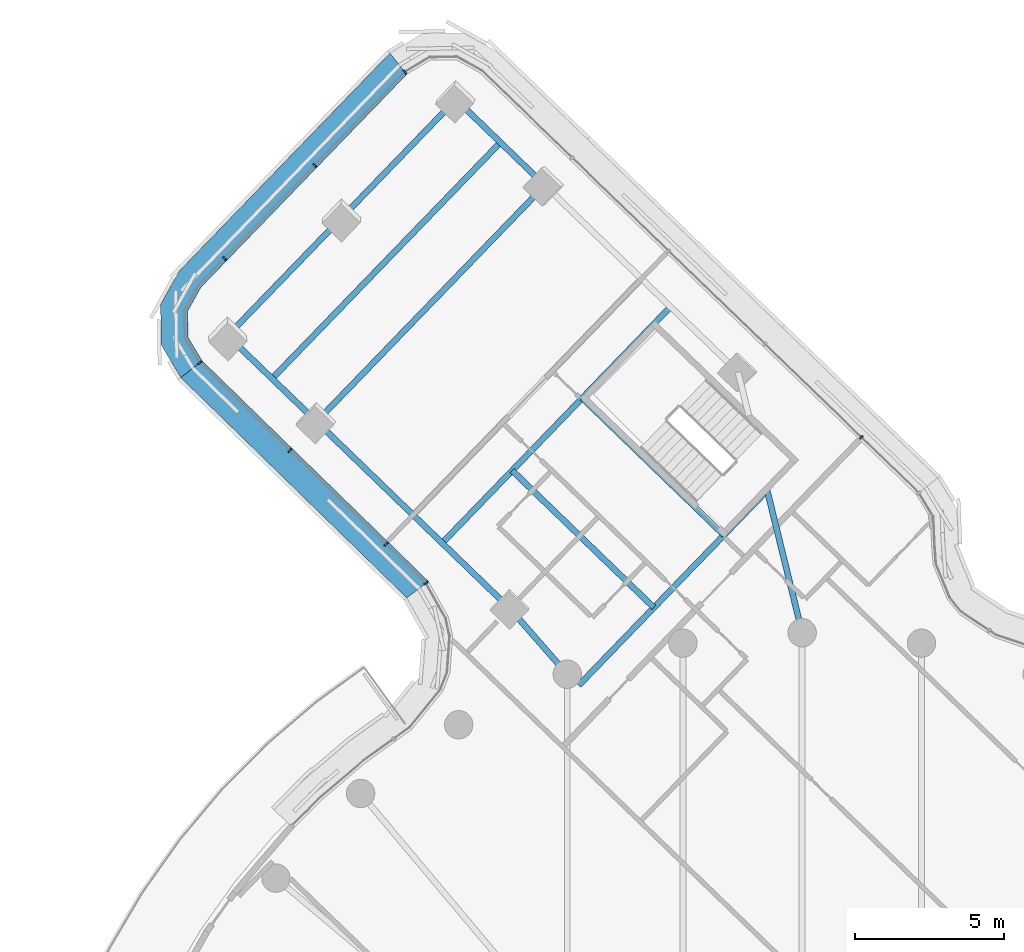
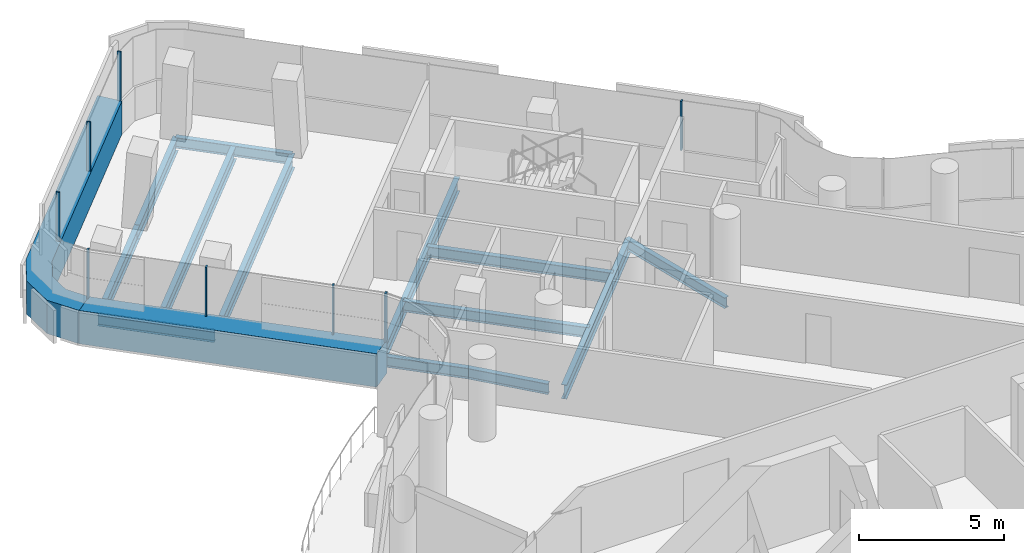
# One storey, part 15 of 31: 13 beams, 10 members, 4 elements without a shape of their own.
"""IFC4 building model written with IfcOpenShell, lengths in metres."""

from ifc_helpers import new_model, si_unit, direction, frame, origin, origin_2d, place, context, subcontext, project, spatial, polyline, rectangle, i_section, outline, extrude, material, layer, layer_set, material_profile, profile_set, type_object, element, aggregate, save


model = new_model("IFC4")

# Units and contexts
model_context = context("Model", 3, precision=1e-05, world=origin(), true_north=direction((0.0, 1.0)))
body_context = subcontext(model_context, "Body", "Model", "MODEL_VIEW")
ifc_project = project(units=[si_unit("LENGTHUNIT", "METRE"), si_unit("AREAUNIT", "SQUARE_METRE"), si_unit("VOLUMEUNIT", "CUBIC_METRE"), si_unit("PLANEANGLEUNIT", "RADIAN"), si_unit("MASSUNIT", "GRAM", prefix="KILO")], contexts=[model_context])

# Site, building, storey
site_placement = place(None, origin())
site = spatial("IfcSite", under=ifc_project, at=site_placement, CompositionType="ELEMENT")
building_placement = place(site_placement, origin())
building = spatial("IfcBuilding", under=site, at=building_placement, Name="Tamarind Cross Interchange Tower", CompositionType="ELEMENT")
storey_placement = place(building_placement, frame((0.0, 0.0, 200.5)))
storey = spatial("IfcBuildingStorey", under=building, at=storey_placement, Name="L50", CompositionType="ELEMENT", Elevation=200.5)

# Beams
ifc_material_1 = material(Name="Steel Q355B", Category="steel")
ifc_material_profile_1 = material_profile(ifc_material_1, i_section(OverallWidth=0.198974609375, OverallDepth=0.446044921875, WebThickness=0.008056640625, FlangeThickness=0.011962890625, FilletRadius=0.012939453125, at=origin_2d()), Name="HN 446x199x8x12")
ifc_profile_set_1 = profile_set([ifc_material_profile_1], Name="Steel Q355B")
beam_type_1 = type_object("IfcBeamType", Name="Composite beam HN 446x199x8x12 Q355B", PredefinedType="BEAM", material=ifc_profile_set_1)
for number, where, z_axis, x_axis, name in (
    (1, (-11.59130859375, 40.8544921875, -0.363037109375), (0.718981497127, -0.695029212903, 0.0), (0.695029212903, 0.718981497127, 0.0), "Beam N-edgeem5"),
    (2, (-19.236328125, 32.945556640625, -0.363037109375), (0.718952996484, -0.695058694533, 0.0), (0.695058694533, 0.718952996484, 0.0), "Beam N-edgeep2"),
):
    element("IfcBeam", number, at=place(storey_placement, frame(where, z_axis=z_axis, x_axis=x_axis)), inside=storey, type_object=beam_type_1, Name=name, PredefinedType="BEAM", context=body_context, shape_type="SweptSolid", body=[
        extrude(i_section(OverallWidth=0.198974609375, OverallDepth=0.446044921875, WebThickness=0.008056640625, FlangeThickness=0.011962890625, FilletRadius=0.012939453125, at=origin_2d()), origin(), (0.0, 0.0, 1.0), 4.13818359375),
    ])
beam_1_placement = place(storey_placement, frame((-16.26123046875, 30.0693359375, -0.363037109375), z_axis=(0.718995153813, -0.695015085299, 0.0), x_axis=(0.695015085299, 0.718995153813, 0.0)))
element("IfcBeam", 3, at=beam_1_placement, inside=storey, type_object=beam_type_1, Name="Beam N-edgeep3", PredefinedType="BEAM", context=body_context, shape_type="SweptSolid", body=[
    extrude(i_section(OverallWidth=0.198974609375, OverallDepth=0.446044921875, WebThickness=0.008056640625, FlangeThickness=0.011962890625, FilletRadius=0.012939453125, at=origin_2d()), origin(), (0.0, 0.0, 1.0), 9.0),
])
beam_2_placement = place(storey_placement, frame((-1.18603515625, 27.8232421875, -0.363037109375), z_axis=(0.238786601564, -0.971072066797, 0.0), x_axis=(0.971072066797, 0.238786601564, 0.0)))
element("IfcBeam", 4, at=beam_2_placement, inside=storey, type_object=beam_type_1, Name="Beam N-linkemt1", PredefinedType="BEAM", context=body_context, shape_type="SweptSolid", body=[
    extrude(i_section(OverallWidth=0.198974609375, OverallDepth=0.446044921875, WebThickness=0.008056640625, FlangeThickness=0.011962890625, FilletRadius=0.012939453125, at=origin_2d()), origin(), (0.0, 0.0, 1.0), 4.967041015625),
])
beam_3_placement = place(storey_placement, frame((-9.790283203125, 23.814208984375, -0.363037109375), z_axis=(0.658078810286, -0.752949055018, 0.0), x_axis=(0.752949055018, 0.658078810286, 0.0)))
element("IfcBeam", 5, at=beam_3_placement, inside=storey, type_object=beam_type_1, Name="Beam N-linkep", PredefinedType="BEAM", context=body_context, shape_type="SweptSolid", body=[
    extrude(i_section(OverallWidth=0.198974609375, OverallDepth=0.446044921875, WebThickness=0.008056640625, FlangeThickness=0.011962890625, FilletRadius=0.012939453125, at=origin_2d()), origin(), (0.0, 0.0, 1.0), 2.92333984375),
])
for number, where, z_axis, x_axis, name in (
    (6, (-2.618408203125, 26.26953125, -0.363037109375), (-0.718990224524, 0.695020184627, 0.0), (-0.695020184627, -0.718990224524, 0.0), "Beam N-tr1"),
    (7, (-4.964111328125, 23.843017578125, -0.363037109375), (-0.718990224524, 0.695020184627, 0.0), (-0.695020184627, -0.718990224524, 0.0), "Beam N-stripp"),
):
    element("IfcBeam", number, at=place(storey_placement, frame(where, z_axis=z_axis, x_axis=x_axis)), inside=storey, type_object=beam_type_1, Name=name, PredefinedType="BEAM", context=body_context, shape_type="SweptSolid", body=[
        extrude(i_section(OverallWidth=0.198974609375, OverallDepth=0.446044921875, WebThickness=0.008056640625, FlangeThickness=0.011962890625, FilletRadius=0.012939453125, at=origin_2d()), origin(), (0.0, 0.0, 1.0), 6.60009765625),
    ])
ifc_material_profile_2 = material_profile(ifc_material_1, i_section(OverallWidth=0.198974609375, OverallDepth=0.595947265625, WebThickness=0.010009765625, FlangeThickness=0.014892578125, FilletRadius=0.012939453125, at=origin_2d()), Name="HN 596x199x10x15")
ifc_profile_set_2 = profile_set([ifc_material_profile_2], Name="Steel Q355B")
beam_type_2 = type_object("IfcBeamType", Name="Composite beam HN 596x199x10x15 Q355B", PredefinedType="BEAM", material=ifc_profile_set_2)
beam_4_placement = place(storey_placement, frame((-11.59130859375, 40.8544921875, -0.43798828125), z_axis=(-0.694997620062, -0.719012036135, 0.0), x_axis=(0.719012036135, -0.694997620062, 0.0)))
element("IfcBeam", 8, at=beam_4_placement, inside=storey, type_object=beam_type_2, Name="Beam N-tip0", PredefinedType="BEAM", context=body_context, shape_type="SweptSolid", body=[
    extrude(i_section(OverallWidth=0.198974609375, OverallDepth=0.595947265625, WebThickness=0.010009765625, FlangeThickness=0.014892578125, FilletRadius=0.012939453125, at=origin_2d()), origin(), (0.0, 0.0, 1.0), 5.5),
])
beam_5_placement = place(storey_placement, frame((-15.413818359375, 36.89990234375, -0.43798828125), z_axis=(-0.69501980211, -0.718990594288, 0.0), x_axis=(0.718990594288, -0.69501980211, 0.0)))
element("IfcBeam", 9, at=beam_5_placement, inside=storey, type_object=beam_type_2, Name="Beam N-tip1", PredefinedType="BEAM", context=body_context, shape_type="SweptSolid", body=[
    extrude(i_section(OverallWidth=0.198974609375, OverallDepth=0.595947265625, WebThickness=0.010009765625, FlangeThickness=0.014892578125, FilletRadius=0.012939453125, at=origin_2d()), origin(), (0.0, 0.0, 1.0), 5.499755859375),
])
beam_6_placement = place(storey_placement, frame((-1.171875, 27.765869140625, -0.43798828125), z_axis=(-0.695022560325, -0.71898792802, 0.0), x_axis=(0.71898792802, -0.695022560325, 0.0)))
element("IfcBeam", 10, at=beam_6_placement, inside=storey, type_object=beam_type_2, Name="Beam N-x268", PredefinedType="BEAM", context=body_context, shape_type="SweptSolid", body=[
    extrude(i_section(OverallWidth=0.198974609375, OverallDepth=0.595947265625, WebThickness=0.010009765625, FlangeThickness=0.014892578125, FilletRadius=0.012939453125, at=origin_2d()), origin(), (0.0, 0.0, 1.0), 9.076904296875),
])
for number, where, z_axis, x_axis, name in (
    (11, (-4.409912109375, 33.912353515625, -0.43798828125), (-0.695008710992, -0.719001315469, 0.0), (0.719001315469, -0.695008710992, 0.0), "Beam N-x334"),
    (12, (-8.615966796875, 37.978271484375, -0.43798828125), (-0.695020184627, -0.718990224524, 0.0), (0.718990224524, -0.695020184627, 0.0), "Beam N-x393"),
    (13, (-10.103515625, 39.416259765625, -0.43798828125), (-0.695020184627, -0.718990224524, 0.0), (0.718990224524, -0.695020184627, 0.0), "Beam N-x414"),
):
    element("IfcBeam", number, at=place(storey_placement, frame(where, z_axis=z_axis, x_axis=x_axis)), inside=storey, type_object=beam_type_2, Name=name, PredefinedType="BEAM", context=body_context, shape_type="SweptSolid", body=[
        extrude(i_section(OverallWidth=0.198974609375, OverallDepth=0.595947265625, WebThickness=0.010009765625, FlangeThickness=0.014892578125, FilletRadius=0.012939453125, at=origin_2d()), origin(), (0.0, 0.0, 1.0), 11.0),
    ])

# Curtain wall, member
ifc_material_2 = material(Name="Aluminium 6063-T6", Category="aluminium")
ifc_layer = layer(ifc_material_2, 0.139892578125)
ifc_layer_set = layer_set([ifc_layer], Name="Aluminium 6063-T6")
curtain_wall_type = type_object("IfcCurtainWallType", Name="Hotel curtain wall, 4.5 m bays", PredefinedType="NOTDEFINED", material=ifc_layer_set)
curtain_wall_1_placement = place(storey_placement, origin())
curtain_wall_1 = element("IfcCurtainWall", 14, at=curtain_wall_1_placement, inside=storey, type_object=curtain_wall_type, Name="CWS-L50-08", PredefinedType="NOTDEFINED")
ifc_material_3 = material(Name="Aluminium and insulated spandrel panel", Category="aluminium")
member_type_1 = type_object("IfcMemberType", Name="Floor-edge blade transom", PredefinedType="USERDEFINED", material=ifc_material_3)
member_1_placement = place(storey_placement, origin())
member_1 = element("IfcMember", 15, at=member_1_placement, type_object=member_type_1, Name="CWT-L50-08", ObjectType="TRANSOM", PredefinedType="USERDEFINED", context=body_context, shape_type="SweptSolid", body=[
    extrude(outline(polyline([(-13.23876953125, 41.69677734375), (-20.134033203125, 34.5634765625), (-20.578369140625, 33.76318359375), (-20.5634765625, 32.888671875), (-20.092041015625, 32.103271484375), (-20.8037109375, 31.540283203125), (-21.459228515625, 32.63232421875), (-21.482177734375, 33.989013671875), (-20.863525390625, 35.10400390625), (-13.803466796875, 42.407470703125), (-13.23876953125, 41.69677734375)])), origin(), (0.0, 0.0, 1.0), 1.39990234375),
])

curtain_wall_2_placement = place(storey_placement, origin())
curtain_wall_2 = element("IfcCurtainWall", 16, at=curtain_wall_2_placement, inside=storey, type_object=curtain_wall_type, Name="CWS-L50-09", PredefinedType="NOTDEFINED")
member_2_placement = place(storey_placement, origin())
member_2 = element("IfcMember", 17, at=member_2_placement, type_object=member_type_1, Name="CWT-L50-09", ObjectType="TRANSOM", PredefinedType="USERDEFINED", context=body_context, shape_type="SweptSolid", body=[
    extrude(outline(polyline([(-20.092041015625, 32.103271484375), (-12.51318359375, 24.718505859375), (-13.23486328125, 24.1650390625), (-20.8037109375, 31.540283203125), (-20.092041015625, 32.103271484375)])), origin(), (0.0, 0.0, 1.0), 1.39990234375),
])

curtain_wall_3_placement = place(storey_placement, origin())
curtain_wall_3 = element("IfcCurtainWall", 18, at=curtain_wall_3_placement, inside=storey, type_object=curtain_wall_type, Name="CWS-L50-07", PredefinedType="NOTDEFINED")
ifc_material_profile_3 = material_profile(ifc_material_2, rectangle(XDim=0.06005859375, YDim=0.139892578125, at=origin_2d()), Name="Mullion CW2")
ifc_profile_set_3 = profile_set([ifc_material_profile_3], Name="Aluminium 6063-T6")
member_type_2 = type_object("IfcMemberType", Name="Mullion CW2", PredefinedType="MULLION", material=ifc_profile_set_3)
member_3_placement = place(storey_placement, frame((1.98046875, 29.543212890625, 1.39990234375), z_axis=(0.0, 0.0, 1.0), x_axis=(-0.718990536097, 0.695019862308, 0.0)))
member_3 = element("IfcMember", 19, at=member_3_placement, type_object=member_type_2, Name="CWM-L50-07-01", PredefinedType="MULLION", context=body_context, shape_type="SweptSolid", body=[
    extrude(rectangle(XDim=0.06005859375, YDim=0.139892578125, at=origin_2d()), origin(), (0.0, 0.0, 1.0), 2.06005859375),
])
aggregate(curtain_wall_3, [member_3])

# Member
member_4_placement = place(storey_placement, frame((-13.301513671875, 41.775634765625, 1.39990234375), z_axis=(0.0, 0.0, 1.0), x_axis=(-0.782920967957, -0.622121176246, 0.0)))
member_4 = element("IfcMember", 20, at=member_4_placement, type_object=member_type_2, Name="CWM-L50-08-00", PredefinedType="MULLION", context=body_context, shape_type="SweptSolid", body=[
    extrude(rectangle(XDim=0.06005859375, YDim=0.139892578125, at=origin_2d()), origin(), (0.0, 0.0, 1.0), 2.06005859375),
])

member_5_placement = place(storey_placement, frame((-16.32177734375, 38.651123046875, 1.39990234375), z_axis=(0.0, 0.0, 1.0), x_axis=(-0.695019862308, -0.718990536097, 0.0)))
member_5 = element("IfcMember", 21, at=member_5_placement, type_object=member_type_2, Name="CWM-L50-08-01", PredefinedType="MULLION", context=body_context, shape_type="SweptSolid", body=[
    extrude(rectangle(XDim=0.06005859375, YDim=0.139892578125, at=origin_2d()), origin(), (0.0, 0.0, 1.0), 2.06005859375),
])

member_6_placement = place(storey_placement, frame((-19.342041015625, 35.52685546875, 1.39990234375), z_axis=(0.0, 0.0, 1.0), x_axis=(-0.695019862308, -0.718990536097, 0.0)))
member_6 = element("IfcMember", 22, at=member_6_placement, type_object=member_type_2, Name="CWM-L50-08-02", PredefinedType="MULLION", context=body_context, shape_type="SweptSolid", body=[
    extrude(rectangle(XDim=0.06005859375, YDim=0.139892578125, at=origin_2d()), origin(), (0.0, 0.0, 1.0), 2.06005859375),
])

aggregate(curtain_wall_1, [member_4, member_5, member_6, member_1])

member_7_placement = place(storey_placement, frame((-20.171142578125, 32.040771484375, 1.39990234375), z_axis=(0.0, 0.0, 1.0), x_axis=(0.620559770966, -0.784159148807, 0.0)))
member_7 = element("IfcMember", 23, at=member_7_placement, type_object=member_type_2, Name="CWM-L50-09-00", PredefinedType="MULLION", context=body_context, shape_type="SweptSolid", body=[
    extrude(rectangle(XDim=0.06005859375, YDim=0.139892578125, at=origin_2d()), origin(), (0.0, 0.0, 1.0), 2.06005859375),
])

member_8_placement = place(storey_placement, frame((-17.15625, 29.103271484375, 1.39990234375), z_axis=(0.0, 0.0, 1.0), x_axis=(0.716214822017, -0.6978798813, 0.0)))
member_8 = element("IfcMember", 24, at=member_8_placement, type_object=member_type_2, Name="CWM-L50-09-01", PredefinedType="MULLION", context=body_context, shape_type="SweptSolid", body=[
    extrude(rectangle(XDim=0.06005859375, YDim=0.139892578125, at=origin_2d()), origin(), (0.0, 0.0, 1.0), 2.06005859375),
])

member_9_placement = place(storey_placement, frame((-13.932373046875, 25.9619140625, 1.39990234375), z_axis=(0.0, 0.0, 1.0), x_axis=(0.716214822017, -0.6978798813, 0.0)))
member_9 = element("IfcMember", 25, at=member_9_placement, type_object=member_type_2, Name="CWM-L50-09-02", PredefinedType="MULLION", context=body_context, shape_type="SweptSolid", body=[
    extrude(rectangle(XDim=0.06005859375, YDim=0.139892578125, at=origin_2d()), origin(), (0.0, 0.0, 1.0), 2.06005859375),
])

aggregate(curtain_wall_2, [member_7, member_8, member_9, member_2])

# Curtain wall, member
curtain_wall_4_placement = place(storey_placement, origin())
curtain_wall_4 = element("IfcCurtainWall", 26, at=curtain_wall_4_placement, inside=storey, type_object=curtain_wall_type, Name="CWS-L50-10", PredefinedType="NOTDEFINED")
member_10_placement = place(storey_placement, frame((-12.59326171875, 24.656982421875, 1.39990234375), z_axis=(0.0, 0.0, 1.0), x_axis=(0.608576095075, -0.793495517633, 0.0)))
member_10 = element("IfcMember", 27, at=member_10_placement, type_object=member_type_2, Name="CWM-L50-10-00", PredefinedType="MULLION", context=body_context, shape_type="SweptSolid", body=[
    extrude(rectangle(XDim=0.06005859375, YDim=0.139892578125, at=origin_2d()), origin(), (0.0, 0.0, 1.0), 2.06005859375),
])
aggregate(curtain_wall_4, [member_10])

save(model, "model.ifc")
